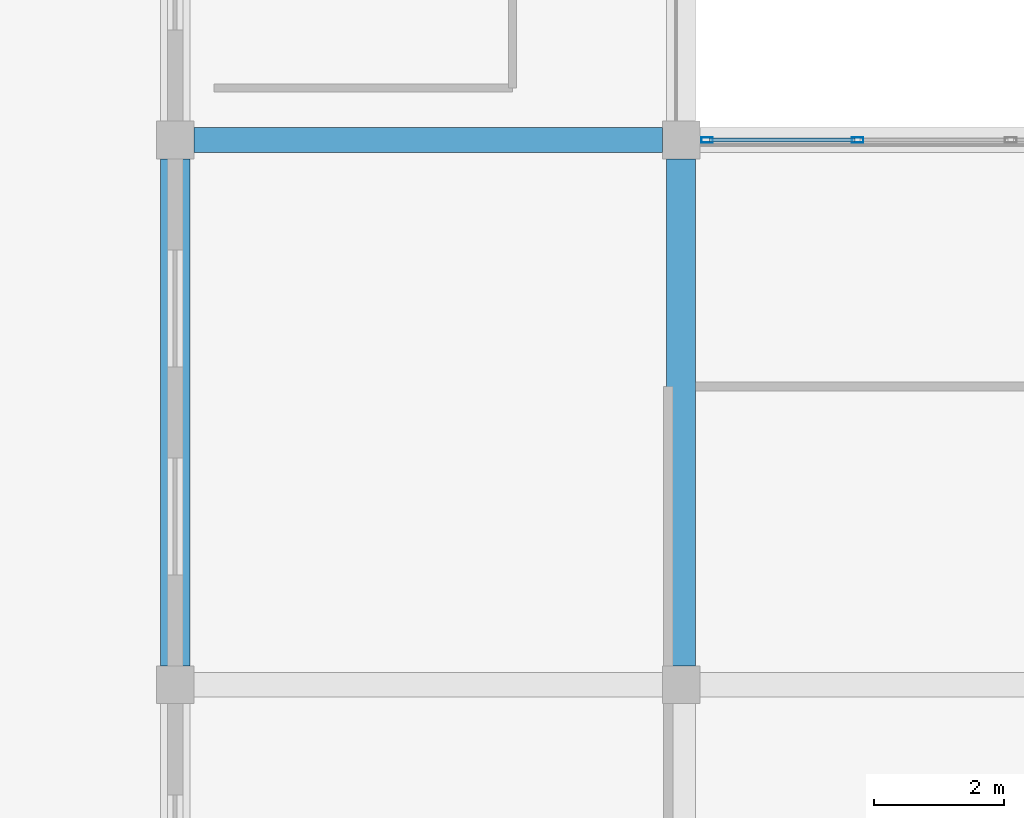
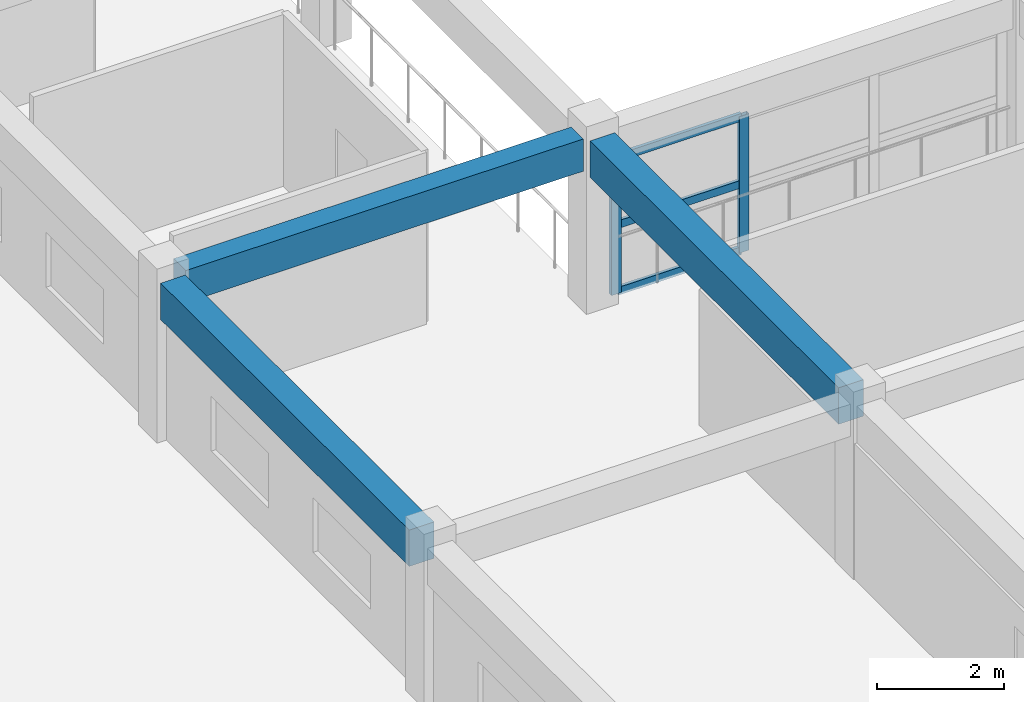
# One storey, part 58 of 101: 5 members, 3 beams, 1 element without a shape of its own.
"""IFC4 building model written with IfcOpenShell, lengths in metres."""

from ifc_helpers import new_model, si_unit, direction, frame, origin, origin_2d, place, context, subcontext, project, spatial, rectangle, hollow_rectangle, extrude, material, layer, layer_set, material_profile, profile_set, type_object, element, aggregate, save


model = new_model("IFC4")

# Units and contexts
model_context = context("Model", 3, precision=1e-05, world=origin(), true_north=direction((0.0, 1.0)))
body_context = subcontext(model_context, "Body", "Model", "MODEL_VIEW")
ifc_project = project(units=[si_unit("LENGTHUNIT", "METRE"), si_unit("AREAUNIT", "SQUARE_METRE"), si_unit("VOLUMEUNIT", "CUBIC_METRE"), si_unit("PLANEANGLEUNIT", "RADIAN"), si_unit("MASSUNIT", "GRAM", prefix="KILO")], contexts=[model_context])

# Site, building, storey
site_placement = place(None, origin())
site = spatial("IfcSite", under=ifc_project, at=site_placement, CompositionType="ELEMENT")
building_placement = place(site_placement, origin())
building = spatial("IfcBuilding", under=site, at=building_placement, Name="Zizhar Promenade General Hospital", CompositionType="ELEMENT")
storey_placement = place(building_placement, frame((0.0, 0.0, 14.39990234375)))
storey = spatial("IfcBuildingStorey", under=building, at=storey_placement, Name="L03", CompositionType="ELEMENT", Elevation=14.39990234375)

# Beams
ifc_material_1 = material(Name="Concrete C35/45", Category="concrete")
ifc_material_profile_1 = material_profile(ifc_material_1, rectangle(XDim=0.3798828125, YDim=0.6201171875, at=origin_2d()))
ifc_profile_set_1 = profile_set([ifc_material_profile_1], Name="Concrete C35/45")
beam_type_1 = type_object("IfcBeamType", Name="BM-RC-380x620", PredefinedType="JOIST", material=ifc_profile_set_1)
beam_placement = place(storey_placement, frame((140.68994140625, 67.199951171875, 3.0), z_axis=(1.0, 0.0, 0.0), x_axis=(0.0, 1.0, 0.0)))
element("IfcBeam", 1, at=beam_placement, inside=storey, type_object=beam_type_1, Name="Grid Beam X L03 (18-8)", PredefinedType="JOIST", context=body_context, shape_type="SweptSolid", body=[
    extrude(rectangle(XDim=0.3798828125, YDim=0.6201171875, at=origin_2d()), origin(), (0.0, 0.0, 1.0), 7.219970703125),
])
ifc_material_2 = material(Name="Concrete C35/45", Category="concrete")
ifc_material_profile_2 = material_profile(ifc_material_2, rectangle(XDim=0.449951171875, YDim=0.699951171875, at=origin_2d()))
ifc_profile_set_2 = profile_set([ifc_material_profile_2], Name="Concrete C35/45")
beam_type_2 = type_object("IfcBeamType", Name="BM-RC-450x700", PredefinedType="BEAM", material=ifc_profile_set_2)
for number, where, z_axis, x_axis, name in (
    (2, (140.39990234375, 59.090087890625, 2.960205078125), (0.0, 1.0, 0.0), (-1.0, 0.0, 0.0), "Grid Beam Y L03 (18-7)"),
    (3, (148.199951171875, 59.090087890625, 2.960205078125), (0.0, 1.0, 0.0), (-1.0, 0.0, 0.0), "Grid Beam Y L03 (19-7)"),
):
    element("IfcBeam", number, at=place(storey_placement, frame(where, z_axis=z_axis, x_axis=x_axis)), inside=storey, type_object=beam_type_2, Name=name, PredefinedType="BEAM", context=body_context, shape_type="SweptSolid", body=[
        extrude(rectangle(XDim=0.449951171875, YDim=0.699951171875, at=origin_2d()), origin(), (0.0, 0.0, 1.0), 7.81982421875),
    ])

# Curtain wall, members
ifc_material_3 = material(Name="Anodised aluminium 6063-T6 and low-E glass", Category="aluminium")
ifc_layer = layer(ifc_material_3, 0.159912109375)
ifc_layer_set = layer_set([ifc_layer], Name="Anodised aluminium 6063-T6 and low-E glass")
curtain_wall_type = type_object("IfcCurtainWallType", Name="CW-CLN-CRT", PredefinedType="NOTDEFINED", material=ifc_layer_set)
curtain_wall_placement = place(storey_placement, origin())
curtain_wall = element("IfcCurtainWall", 4, at=curtain_wall_placement, inside=storey, type_object=curtain_wall_type, Name="East Light Court South Glazing L03-19", PredefinedType="NOTDEFINED")
ifc_material_4 = material(Name="Anodised aluminium 6063-T6", Category="aluminium")
ifc_material_profile_3 = material_profile(ifc_material_4, hollow_rectangle(XDim=0.080078125, YDim=0.179931640625, WallThickness=0.0048828125, at=origin_2d()))
ifc_profile_set_3 = profile_set([ifc_material_profile_3], Name="Anodised aluminium 6063-T6")
member_type_1 = type_object("IfcMemberType", Name="CWM-ALU-180x80", PredefinedType="MULLION", material=ifc_profile_set_3)
member_1_placement = place(storey_placement, frame((148.60009765625, 67.199951171875, 0.0), z_axis=(0.0, 0.0, 1.0), x_axis=(0.0, 1.0, 0.0)))
member_1 = element("IfcMember", 5, at=member_1_placement, type_object=member_type_1, Name="CW-10 mullion 1", PredefinedType="MULLION", context=body_context, shape_type="SweptSolid", body=[
    extrude(hollow_rectangle(XDim=0.080078125, YDim=0.179931640625, WallThickness=0.0048828125, at=origin_2d()), origin(), (0.0, 0.0, 1.0), 2.6201171875),
])
member_2_placement = place(storey_placement, frame((150.919921875, 67.199951171875, 0.0), z_axis=(0.0, 0.0, 1.0), x_axis=(0.0, 1.0, 0.0)))
member_2 = element("IfcMember", 6, at=member_2_placement, type_object=member_type_1, Name="CW-10 mullion 2", PredefinedType="MULLION", context=body_context, shape_type="SweptSolid", body=[
    extrude(hollow_rectangle(XDim=0.080078125, YDim=0.179931640625, WallThickness=0.0048828125, at=origin_2d()), origin(), (0.0, 0.0, 1.0), 2.6201171875),
])
ifc_material_5 = material(Name="Anodised aluminium 6063-T6", Category="aluminium")
ifc_material_profile_4 = material_profile(ifc_material_5, hollow_rectangle(XDim=0.06005859375, YDim=0.14990234375, WallThickness=0.00390625, at=origin_2d()))
ifc_profile_set_4 = profile_set([ifc_material_profile_4], Name="Anodised aluminium 6063-T6")
member_type_2 = type_object("IfcMemberType", Name="CWT-ALU-150x60", PredefinedType="USERDEFINED", material=ifc_profile_set_4)
member_3_placement = place(storey_placement, frame((148.639892578125, 67.199951171875, 0.030029296875), z_axis=(1.0, 0.0, 0.0), x_axis=(0.0, 1.0, 0.0)))
member_3 = element("IfcMember", 7, at=member_3_placement, type_object=member_type_2, Name="CW-10 transom 1.1", ObjectType="TRANSOM", PredefinedType="USERDEFINED", context=body_context, shape_type="SweptSolid", body=[
    extrude(hollow_rectangle(XDim=0.06005859375, YDim=0.14990234375, WallThickness=0.00390625, at=origin_2d()), origin(), (0.0, 0.0, 1.0), 2.239990234375),
])
member_4_placement = place(storey_placement, frame((148.639892578125, 67.199951171875, 1.31005859375), z_axis=(1.0, 0.0, 0.0), x_axis=(0.0, 1.0, 0.0)))
member_4 = element("IfcMember", 8, at=member_4_placement, type_object=member_type_2, Name="CW-10 transom 1.2", ObjectType="TRANSOM", PredefinedType="USERDEFINED", context=body_context, shape_type="SweptSolid", body=[
    extrude(hollow_rectangle(XDim=0.06005859375, YDim=0.14990234375, WallThickness=0.00390625, at=origin_2d()), origin(), (0.0, 0.0, 1.0), 2.239990234375),
])
member_5_placement = place(storey_placement, frame((148.639892578125, 67.199951171875, 2.590087890625), z_axis=(1.0, 0.0, 0.0), x_axis=(0.0, 1.0, 0.0)))
member_5 = element("IfcMember", 9, at=member_5_placement, type_object=member_type_2, Name="CW-10 transom 1.3", ObjectType="TRANSOM", PredefinedType="USERDEFINED", context=body_context, shape_type="SweptSolid", body=[
    extrude(hollow_rectangle(XDim=0.06005859375, YDim=0.14990234375, WallThickness=0.00390625, at=origin_2d()), origin(), (0.0, 0.0, 1.0), 2.239990234375),
])
aggregate(curtain_wall, [member_1, member_2, member_3, member_4, member_5])

save(model, "model.ifc")
